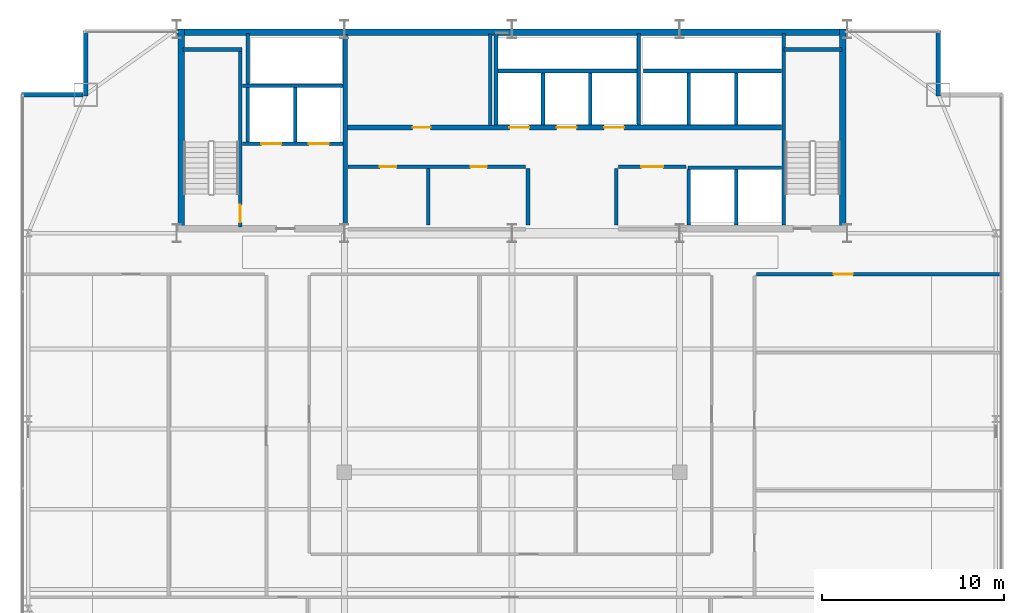
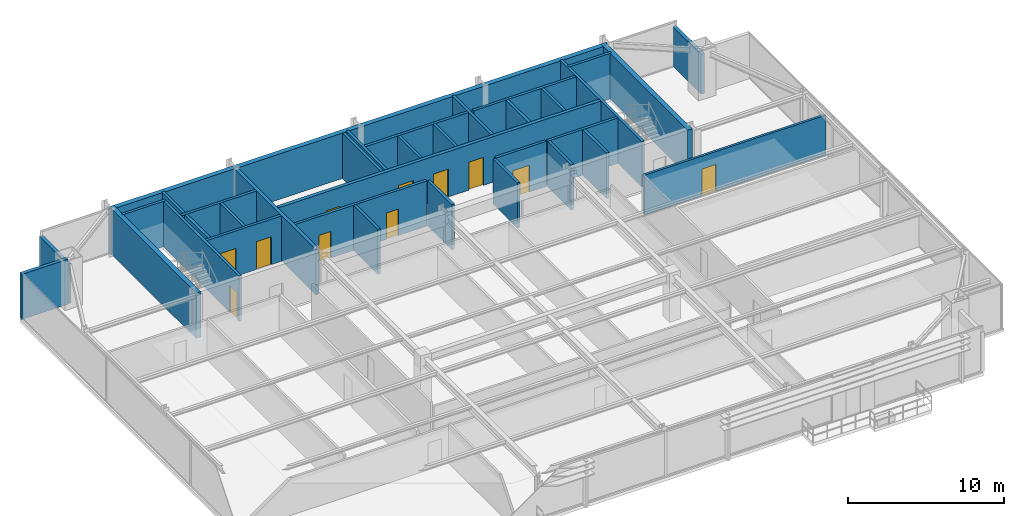
# One storey, part 28 of 31: 34 walls, 11 doors, 11 openings.
"""IFC4 building model written with IfcOpenShell, lengths in metres."""

import ifcopenshell
import ifcopenshell.guid

model = None  # the IFC model being written
_history = None  # IfcOwnerHistory: only IFC2X3 demands one
_inside = {}  # id of a spatial element -> (the spatial element, [elements in it])
_under = {}  # id of a project, library or spatial element -> (it, [spatial elements below it])
_declared = {}  # id of a project -> (the project, [libraries it declares])
_typed = {}  # id of a type object -> (the type object, [elements of that type])
_made_of = {}  # id of a material, layer set ... -> (it, [elements and type objects made of it])


def new_model(schema):
    """Start an empty IFC model of exactly this schema.

    Asked for "IFC4X3", IfcOpenShell would pick the latest addendum, in which some entities
    have other attributes; the version numbers below select the first issue.
    IFC2X3 requires an IfcOwnerHistory on every rooted entity: one is made here for all.
    """
    global model, _history
    if schema == "IFC4X3":
        model = ifcopenshell.file(schema_version=(4, 3, 0, 0))
    else:
        model = ifcopenshell.file(schema=schema)
    _inside.clear()
    _under.clear()
    _declared.clear()
    _typed.clear()
    _made_of.clear()
    _history = None
    if model.schema == "IFC2X3":
        org = make("IfcOrganization", Name="unknown")
        user = make(
            "IfcPersonAndOrganization",
            ThePerson=make("IfcPerson", FamilyName="unknown"),
            TheOrganization=org,
        )
        app = make(
            "IfcApplication",
            ApplicationDeveloper=org,
            Version="unknown",
            ApplicationFullName="unknown",
            ApplicationIdentifier="unknown",
        )
        _history = make(
            "IfcOwnerHistory",
            OwningUser=user,
            OwningApplication=app,
            ChangeAction="ADDED",
            CreationDate=0,
        )
    return model


def make(cls, **values):
    """One entity of the class cls with the attributes given. An attribute that is None is left unset."""
    return model.create_entity(
        cls, **{name: value for name, value in values.items() if value is not None}
    )


def rooted(cls, **values):
    """An entity with a GlobalId (a new one), such as an element, a storey or a relation."""
    return make(cls, GlobalId=ifcopenshell.guid.new(), OwnerHistory=_history, **values)


def si_unit(unit_type, name, prefix=None):
    """IfcSIUnit, for example si_unit("LENGTHUNIT", "METRE", prefix="MILLI")."""
    return make("IfcSIUnit", UnitType=unit_type, Prefix=prefix, Name=name)


def assignment(units):
    """IfcUnitAssignment: the units of a project."""
    return None if units is None else make("IfcUnitAssignment", Units=units)


def point(xyz):
    """IfcCartesianPoint."""
    return None if xyz is None else make("IfcCartesianPoint", Coordinates=xyz)


def direction(xyz):
    """IfcDirection."""
    return None if xyz is None else make("IfcDirection", DirectionRatios=xyz)


def frame(location, z_axis=None, x_axis=None):
    """IfcAxis2Placement3D, a coordinate frame: its origin and axes. An axis left out is left unset."""
    return make(
        "IfcAxis2Placement3D",
        Location=point(location),
        Axis=direction(z_axis),
        RefDirection=direction(x_axis),
    )


def frame_2d(location, x_axis=None):
    """IfcAxis2Placement2D, a coordinate frame in the plane: its origin and x axis."""
    return make(
        "IfcAxis2Placement2D", Location=point(location), RefDirection=direction(x_axis)
    )


def origin():
    """The frame at (0, 0, 0) with its axes left unset."""
    return frame((0.0, 0.0, 0.0))


def place(relative_to, where):
    """IfcLocalPlacement: puts the frame where relative to a parent placement (None: the world)."""
    return make(
        "IfcLocalPlacement", PlacementRelTo=relative_to, RelativePlacement=where
    )


def context(
    kind, dimensions, precision=None, world=None, true_north=None, identifier=None
):
    """IfcGeometricRepresentationContext, for example the 3D "Model" context."""
    return make(
        "IfcGeometricRepresentationContext",
        ContextIdentifier=identifier,
        ContextType=kind,
        CoordinateSpaceDimension=dimensions,
        Precision=precision,
        WorldCoordinateSystem=world,
        TrueNorth=true_north,
    )


def subcontext(parent, identifier, kind, view, scale=None):
    """IfcGeometricRepresentationSubContext, for example "Body" below "Model"."""
    return make(
        "IfcGeometricRepresentationSubContext",
        ContextIdentifier=identifier,
        ContextType=kind,
        ParentContext=parent,
        TargetScale=scale,
        TargetView=view,
    )


def project(units=None, contexts=None):
    """IfcProject with its units and contexts."""
    return rooted(
        "IfcProject",
        Name="project",
        RepresentationContexts=contexts,
        UnitsInContext=assignment(units),
    )


def spatial(cls, under=None, at=None, **own):
    """A site, building, storey or space (cls), placed at a placement, below another one or the project."""
    s = rooted(cls, ObjectPlacement=at, **own)
    if under is not None:
        _under.setdefault(under.id(), (under, []))[1].append(s)
    return s


def profile(cls, at=None, kind="AREA", **sizes):
    """A parametric profile (cls). Its sizes go by their IFC names, for example OverallWidth=200.0."""
    return make(cls, ProfileType=kind, Position=at, **sizes)


def rectangle(**sizes):
    """IfcRectangleProfileDef."""
    return profile("IfcRectangleProfileDef", **sizes)


def extrude(swept, where, along, depth):
    """IfcExtrudedAreaSolid: the profile swept, set in the frame where, extruded along a direction by depth."""
    return make(
        "IfcExtrudedAreaSolid",
        SweptArea=swept,
        Position=where,
        ExtrudedDirection=direction(along),
        Depth=depth,
    )


def shape(context_of_items, identifier, shape_type, items):
    """IfcShapeRepresentation: the items that make up one representation, for example the "Body"."""
    return make(
        "IfcShapeRepresentation",
        ContextOfItems=context_of_items,
        RepresentationIdentifier=identifier,
        RepresentationType=shape_type,
        Items=items,
    )


def source(mapping_origin, context_of_items, identifier, shape_type, items):
    """IfcRepresentationMap: a shape defined once, which mapped items show again and again."""
    return make(
        "IfcRepresentationMap",
        MappingOrigin=mapping_origin,
        MappedRepresentation=shape(context_of_items, identifier, shape_type, items),
    )


def transform(
    local_origin,
    x_axis=None,
    y_axis=None,
    z_axis=None,
    scale=None,
    scale2=None,
    scale3=None,
    uniform=True,
):
    """IfcCartesianTransformationOperator3D, or its non-uniform kind. x_axis, y_axis, z_axis: its Axis1, 2, 3."""
    if uniform:
        return make(
            "IfcCartesianTransformationOperator3D",
            Axis1=direction(x_axis),
            Axis2=direction(y_axis),
            LocalOrigin=point(local_origin),
            Scale=scale,
            Axis3=direction(z_axis),
        )
    return make(
        "IfcCartesianTransformationOperator3DnonUniform",
        Axis1=direction(x_axis),
        Axis2=direction(y_axis),
        LocalOrigin=point(local_origin),
        Scale=scale,
        Axis3=direction(z_axis),
        Scale2=scale2,
        Scale3=scale3,
    )


def mapped(mapping_source, mapping_target):
    """IfcMappedItem: shows the shape of a source again, moved by a transform."""
    return make(
        "IfcMappedItem", MappingSource=mapping_source, MappingTarget=mapping_target
    )


def material(Name=None, Category=None):
    """IfcMaterial."""
    return make("IfcMaterial", Name=Name, Category=Category)


def layer(
    of_material, thickness, ventilated=None, Name=None, Category=None, Priority=None
):
    """IfcMaterialLayer: one layer of a wall or slab, of a material (None: an air gap)."""
    return make(
        "IfcMaterialLayer",
        Material=of_material,
        LayerThickness=thickness,
        IsVentilated=ventilated,
        Name=Name,
        Category=Category,
        Priority=Priority,
    )


def layer_set(layers, Name=None):
    """IfcMaterialLayerSet."""
    return make("IfcMaterialLayerSet", MaterialLayers=layers, LayerSetName=Name)


def made_of(thing, what):
    """Note that an element or type object is made of a material, layer set ...; save() writes the relation."""
    if what is not None:
        _made_of.setdefault(what.id(), (what, []))[1].append(thing)
    return thing


def type_object(cls, material=None, **own):
    """A type object (cls), such as IfcWallType, which elements share."""
    return made_of(rooted(cls, **own), material)


def type_shapes(of_type, sources):
    """Give a type object the sources (RepresentationMaps) that its elements show as mapped items."""
    of_type.RepresentationMaps = sources


def element(
    cls,
    number,
    at=None,
    inside=None,
    cuts=None,
    type_object=None,
    material=None,
    context=None,
    identifier="Body",
    shape_type=None,
    held_by="IfcProductDefinitionShape",
    body=None,
    shapes=None,
    **own,
):
    """One element of the class cls, such as IfcWall. Its Tag is "e" and its number.

    at: its placement. inside: the storey or other place that contains it. cuts: it is an
    opening in that element (IfcRelVoidsElement). A single representation is given by context,
    identifier, shape_type and body (its items); several are given by shapes. held_by: the class
    of the entity that holds the representations. save() writes the other relations.
    """
    e = rooted(cls, Tag="e%d" % number, ObjectPlacement=at, **own)
    if body is not None:
        shapes = [shape(context, identifier, shape_type, body)]
    if shapes is not None:
        e.Representation = make(held_by, Representations=shapes)
    if inside is not None:
        _inside.setdefault(inside.id(), (inside, []))[1].append(e)
    if cuts is not None:
        rooted(
            "IfcRelVoidsElement", RelatingBuildingElement=cuts, RelatedOpeningElement=e
        )
    if type_object is not None:
        _typed.setdefault(type_object.id(), (type_object, []))[1].append(e)
    return made_of(e, material)


def fill(opening, filler):
    """IfcRelFillsElement: the door or window that sits in an opening."""
    return rooted(
        "IfcRelFillsElement",
        RelatingOpeningElement=opening,
        RelatedBuildingElement=filler,
    )


def aggregate(whole, parts):
    """IfcRelAggregates: a whole, such as a stair, and the parts it consists of."""
    return rooted("IfcRelAggregates", RelatingObject=whole, RelatedObjects=parts)


def save(model, path):
    """Write the relations noted so far, then the file.

    IfcRelAggregates (storeys below a building ...), IfcRelContainedInSpatialStructure (elements
    in a storey), IfcRelDefinesByType, IfcRelAssociatesMaterial and IfcRelDeclares: one each for
    every whole, place, type object, material and project.
    """
    for whole, parts in _under.values():
        aggregate(whole, parts)
    for where, things in _inside.values():
        rooted(
            "IfcRelContainedInSpatialStructure",
            RelatedElements=things,
            RelatingStructure=where,
        )
    for kind, things in _typed.values():
        rooted("IfcRelDefinesByType", RelatedObjects=things, RelatingType=kind)
    for what, things in _made_of.values():
        rooted("IfcRelAssociatesMaterial", RelatedObjects=things, RelatingMaterial=what)
    for by, libraries in _declared.values():
        rooted("IfcRelDeclares", RelatingContext=by, RelatedDefinitions=libraries)
    model.write(path)


model = new_model("IFC4")

# Units and contexts
model_context = context("Model", 3, precision=1e-05, world=origin(), true_north=direction((0.0, 1.0)))
body_context = subcontext(model_context, "Body", "Model", "MODEL_VIEW")
ifc_project = project(units=[si_unit("LENGTHUNIT", "METRE"), si_unit("AREAUNIT", "SQUARE_METRE"), si_unit("VOLUMEUNIT", "CUBIC_METRE"), si_unit("PLANEANGLEUNIT", "RADIAN"), si_unit("MASSUNIT", "GRAM", prefix="KILO")], contexts=[model_context])

# Site, building, storey
site_placement = place(None, origin())
site = spatial("IfcSite", under=ifc_project, at=site_placement, CompositionType="ELEMENT")
building_placement = place(site_placement, origin())
building = spatial("IfcBuilding", under=site, at=building_placement, Name="Varnel Quay Broadcast Tower", CompositionType="ELEMENT")
storey_placement = place(building_placement, frame((0.0, 0.0, 183.800048828125)))
storey = spatial("IfcBuildingStorey", under=building, at=storey_placement, Name="L45", CompositionType="ELEMENT", Elevation=183.800048828125)

# Wall, opening, door
ifc_material_1 = material(Name="Concrete CSA A23.3 C50/60", Category="concrete")
ifc_layer_1 = layer(ifc_material_1, 0.199951171875, Name="Concrete CSA A23.3 C50/60")
ifc_layer_set_1 = layer_set([ifc_layer_1], Name="Concrete CSA A23.3 C50/60")
wall_type_1 = type_object("IfcWallType", Name="Wall_CoreShaftShear200", PredefinedType="SHEAR", material=ifc_layer_set_1)
wall_1_placement = place(storey_placement, frame((19.080078125, 35.949951171875, 0.0), z_axis=(0.0, 0.0, 1.0), x_axis=(0.0, 1.0, 0.0)))
wall_1 = element("IfcWall", 1, at=wall_1_placement, inside=storey, type_object=wall_type_1, Name="L45 Stair 1 East Structural Wall", PredefinedType="SHEAR", context=body_context, shape_type="SweptSolid", body=[
    extrude(rectangle(XDim=9.650146484375, YDim=0.199951171875, at=frame_2d((4.8251953125, 0.0))), origin(), (0.0, 0.0, 1.0), 3.550048828125),
])
opening_1_placement = place(wall_1_placement, frame((0.25, 0.0, 0.0)))
opening_1 = element("IfcOpeningElement", 2, at=opening_1_placement, cuts=wall_1, Name="Opening D-L45-S1", PredefinedType="OPENING", context=body_context, shape_type="SweptSolid", body=[
    extrude(rectangle(XDim=0.949951171875, YDim=2.10009765625, at=frame_2d((0.47509765625, 1.050048828125))), frame((0.0, 0.10986328125, 0.0), z_axis=(0.0, -1.0, 0.0), x_axis=(1.0, 0.0, 0.0)), (0.0, 0.0, 1.0), 0.219970703125),
])
ifc_material_2 = material(Name="Insulated Fire-Rated Hollow Steel Door", Category="steel")
door_type_1 = type_object("IfcDoorType", Name="Door_FireStair950", OperationType="NOTDEFINED", PredefinedType="DOOR", material=ifc_material_2)
shared_shape_1 = source(origin(), body_context, "Body", "SweptSolid", [
    extrude(rectangle(XDim=0.949951171875, YDim=2.10009765625, at=frame_2d((0.47509765625, 1.050048828125))), frame((0.0, 0.02490234375, 0.0), z_axis=(0.0, -1.0, 0.0), x_axis=(1.0, 0.0, 0.0)), (0.0, 0.0, 1.0), 0.050048828125),
])
type_shapes(door_type_1, [shared_shape_1])
door_1_placement = place(opening_1_placement, origin())
door_1 = element("IfcDoor", 3, at=door_1_placement, inside=storey, type_object=door_type_1, Name="L45 Stair 1 Fire Door", OperationType="SINGLE_SWING_LEFT", OverallHeight=2.10009765625, OverallWidth=0.949951171875, PredefinedType="DOOR", context=body_context, shape_type="MappedRepresentation", body=[
    mapped(shared_shape_1, transform((0.0, 0.0, 0.0), x_axis=(1.0, 0.0, 0.0), y_axis=(0.0, 1.0, 0.0), z_axis=(0.0, 0.0, 1.0), scale=1.0)),
])
fill(opening_1, door_1)

# Wall
wall_2_placement = place(storey_placement, frame((15.949951171875, 45.679931640625, 0.0), z_axis=(0.0, 0.0, 1.0), x_axis=(1.0, 0.0, 0.0)))
element("IfcWall", 4, at=wall_2_placement, inside=storey, type_object=wall_type_1, Name="L45 Stair 1 North Structural Wall", PredefinedType="SHEAR", context=body_context, shape_type="SweptSolid", body=[
    extrude(rectangle(XDim=3.22998046875, YDim=0.199951171875, at=frame_2d((1.614990234375, 0.0))), origin(), (0.0, 0.0, 1.0), 3.550048828125),
])

# Wall, openings, doors
wall_3_placement = place(storey_placement, frame((19.199951171875, 40.5, 0.0), z_axis=(0.0, 0.0, 1.0), x_axis=(1.0, 0.0, 0.0)))
wall_3 = element("IfcWall", 5, at=wall_3_placement, inside=storey, type_object=wall_type_1, Name="L45 Firefighter Lift Shaft Front Wall", PredefinedType="SHEAR", context=body_context, shape_type="SweptSolid", body=[
    extrude(rectangle(XDim=5.52001953125, YDim=0.199951171875, at=frame_2d((2.760009765625, 0.0))), origin(), (0.0, 0.0, 1.0), 3.550048828125),
])
opening_2_placement = place(wall_3_placement, frame((1.050048828125, 0.0, 0.0)))
opening_2 = element("IfcOpeningElement", 6, at=opening_2_placement, cuts=wall_3, Name="Opening LD-L45-FE1", PredefinedType="OPENING", context=body_context, shape_type="SweptSolid", body=[
    extrude(rectangle(XDim=1.10009765625, YDim=2.179931640625, at=frame_2d((0.550048828125, 1.08984375))), frame((0.0, 0.10986328125, 0.0), z_axis=(0.0, -1.0, 0.0), x_axis=(1.0, 0.0, 0.0)), (0.0, 0.0, 1.0), 0.219970703125),
])
opening_3_placement = place(wall_3_placement, frame((3.64990234375, 0.0, 0.0)))
opening_3 = element("IfcOpeningElement", 7, at=opening_3_placement, cuts=wall_3, Name="Opening LD-L45-FE2", PredefinedType="OPENING", context=body_context, shape_type="SweptSolid", body=[
    extrude(rectangle(XDim=1.10009765625, YDim=2.179931640625, at=frame_2d((0.550048828125, 1.08984375))), frame((0.0, 0.10986328125, 0.0), z_axis=(0.0, -1.0, 0.0), x_axis=(1.0, 0.0, 0.0)), (0.0, 0.0, 1.0), 0.219970703125),
])
ifc_material_3 = material(Name="Brushed Bronze-Stainless Lift Car & Sliding Doors", Category="steel")
door_type_2 = type_object("IfcDoorType", Name="Door_LiftLanding1100", OperationType="SLIDING_TO_LEFT", PredefinedType="DOOR", material=ifc_material_3)
shared_shape_2 = source(origin(), body_context, "Body", "SweptSolid", [
    extrude(rectangle(XDim=1.10009765625, YDim=2.179931640625, at=frame_2d((0.550048828125, 1.08984375))), frame((0.0, 0.02490234375, 0.0), z_axis=(0.0, -1.0, 0.0), x_axis=(1.0, 0.0, 0.0)), (0.0, 0.0, 1.0), 0.050048828125),
])
type_shapes(door_type_2, [shared_shape_2])
door_2_placement = place(opening_2_placement, frame((1.10009765625, 0.0, 0.0), z_axis=(0.0, 0.0, 1.0), x_axis=(-1.0, 0.0, 0.0)))
door_2 = element("IfcDoor", 8, at=door_2_placement, inside=storey, type_object=door_type_2, Name="L45 Firefighter Lift FE-01 Landing Door", OperationType="SLIDING_TO_LEFT", OverallHeight=2.179931640625, OverallWidth=1.10009765625, PredefinedType="DOOR", context=body_context, shape_type="MappedRepresentation", body=[
    mapped(shared_shape_2, transform((0.0, 0.0, 0.0), x_axis=(1.0, 0.0, 0.0), y_axis=(0.0, 1.0, 0.0), z_axis=(0.0, 0.0, 1.0), scale=1.0)),
])
fill(opening_2, door_2)
door_3_placement = place(opening_3_placement, frame((1.10009765625, 0.0, 0.0), z_axis=(0.0, 0.0, 1.0), x_axis=(-1.0, 0.0, 0.0)))
door_3 = element("IfcDoor", 9, at=door_3_placement, inside=storey, type_object=door_type_2, Name="L45 Firefighter Lift FE-02 Landing Door", OperationType="SLIDING_TO_RIGHT", OverallHeight=2.179931640625, OverallWidth=1.10009765625, PredefinedType="DOOR", context=body_context, shape_type="MappedRepresentation", body=[
    mapped(shared_shape_2, transform((0.0, 0.0, 0.0), x_axis=(1.0, 0.0, 0.0), y_axis=(0.0, 1.0, 0.0), z_axis=(0.0, 0.0, 1.0), scale=1.0)),
])
fill(opening_3, door_3)

# Walls
wall_4_placement = place(storey_placement, frame((19.199951171875, 43.699951171875, 0.0), z_axis=(0.0, 0.0, 1.0), x_axis=(1.0, 0.0, 0.0)))
element("IfcWall", 10, at=wall_4_placement, inside=storey, type_object=wall_type_1, Name="L45 Firefighter Lift Shaft Rear Wall", PredefinedType="SHEAR", context=body_context, shape_type="SweptSolid", body=[
    extrude(rectangle(XDim=5.52001953125, YDim=0.199951171875, at=frame_2d((2.760009765625, 0.0))), origin(), (0.0, 0.0, 1.0), 3.550048828125),
])
wall_5_placement = place(storey_placement, frame((22.10009765625, 40.60009765625, 0.0), z_axis=(0.0, 0.0, 1.0), x_axis=(0.0, 1.0, 0.0)))
element("IfcWall", 11, at=wall_5_placement, inside=storey, type_object=wall_type_1, Name="L45 Firefighter Lift Shaft Divider", PredefinedType="SHEAR", context=body_context, shape_type="SweptSolid", body=[
    extrude(rectangle(XDim=3.0, YDim=0.199951171875, at=frame_2d((1.5, 0.0))), origin(), (0.0, 0.0, 1.0), 3.550048828125),
])
wall_6_placement = place(storey_placement, frame((19.5, 40.60009765625, 0.0), z_axis=(0.0, 0.0, 1.0), x_axis=(0.0, 1.0, 0.0)))
element("IfcWall", 12, at=wall_6_placement, inside=storey, type_object=wall_type_1, Name="L45 Firefighter Lift Shaft West Wall", PredefinedType="SHEAR", context=body_context, shape_type="SweptSolid", body=[
    extrude(rectangle(XDim=5.949951171875, YDim=0.199951171875, at=frame_2d((2.97509765625, 0.0))), origin(), (0.0, 0.0, 1.0), 3.550048828125),
])
wall_7_placement = place(storey_placement, frame((48.919921875, 36.050048828125, 0.0), z_axis=(0.0, 0.0, 1.0), x_axis=(0.0, 1.0, 0.0)))
element("IfcWall", 13, at=wall_7_placement, inside=storey, type_object=wall_type_1, Name="L45 Stair 2 West Structural Wall", PredefinedType="SHEAR", context=body_context, shape_type="SweptSolid", body=[
    extrude(rectangle(XDim=10.5, YDim=0.199951171875, at=frame_2d((5.25, 0.0))), origin(), (0.0, 0.0, 1.0), 3.550048828125),
])
wall_8_placement = place(storey_placement, frame((48.919921875, 45.679931640625, 0.0), z_axis=(0.0, 0.0, 1.0), x_axis=(1.0, 0.0, 0.0)))
element("IfcWall", 14, at=wall_8_placement, inside=storey, type_object=wall_type_1, Name="L45 Stair 2 North Structural Wall", PredefinedType="SHEAR", context=body_context, shape_type="SweptSolid", body=[
    extrude(rectangle(XDim=3.18017578125, YDim=0.199951171875, at=frame_2d((1.590087890625, 0.0))), origin(), (0.0, 0.0, 1.0), 3.550048828125),
])
wall_9_placement = place(storey_placement, frame((33.219970703125, 44.5, 0.0), z_axis=(0.0, 0.0, 1.0), x_axis=(1.0, 0.0, 0.0)))
element("IfcWall", 15, at=wall_9_placement, inside=storey, type_object=wall_type_1, Name="L45 Mid-Rise Lift Shaft Rear Wall", PredefinedType="SHEAR", context=body_context, shape_type="SweptSolid", body=[
    extrude(rectangle(XDim=7.630126953125, YDim=0.199951171875, at=frame_2d((3.81494140625, 0.0))), origin(), (0.0, 0.0, 1.0), 3.550048828125),
])
wall_10_placement = place(storey_placement, frame((33.1201171875, 41.530029296875, 0.0), z_axis=(0.0, 0.0, 1.0), x_axis=(0.0, 1.0, 0.0)))
element("IfcWall", 16, at=wall_10_placement, inside=storey, type_object=wall_type_1, Name="L45 Mid-Rise Lift Shaft Divider 1", PredefinedType="SHEAR", context=body_context, shape_type="SweptSolid", body=[
    extrude(rectangle(XDim=5.02001953125, YDim=0.199951171875, at=frame_2d((2.510009765625, 0.0))), origin(), (0.0, 0.0, 1.0), 3.550048828125),
])
for number, where, z_axis, x_axis, name in (
    (17, (35.699951171875, 41.530029296875, 0.0), (0.0, 0.0, 1.0), (0.0, 1.0, 0.0), "L45 Mid-Rise Lift Shaft Divider 2"),
    (18, (38.300048828125, 41.530029296875, 0.0), (0.0, 0.0, 1.0), (0.0, 1.0, 0.0), "L45 Mid-Rise Lift Shaft Divider 3"),
):
    element("IfcWall", number, at=place(storey_placement, frame(where, z_axis=z_axis, x_axis=x_axis)), inside=storey, type_object=wall_type_1, Name=name, PredefinedType="SHEAR", context=body_context, shape_type="SweptSolid", body=[
        extrude(rectangle(XDim=2.869873046875, YDim=0.199951171875, at=frame_2d((1.43505859375, 0.0))), origin(), (0.0, 0.0, 1.0), 3.550048828125),
    ])
wall_11_placement = place(storey_placement, frame((40.949951171875, 41.530029296875, 0.0), z_axis=(0.0, 0.0, 1.0), x_axis=(0.0, 1.0, 0.0)))
element("IfcWall", 19, at=wall_11_placement, inside=storey, type_object=wall_type_1, Name="L45 Mid-Rise Lift Shaft Divider 4", PredefinedType="SHEAR", context=body_context, shape_type="SweptSolid", body=[
    extrude(rectangle(XDim=5.02001953125, YDim=0.199951171875, at=frame_2d((2.510009765625, 0.0))), origin(), (0.0, 0.0, 1.0), 3.550048828125),
])
wall_12_placement = place(storey_placement, frame((41.219970703125, 44.5, 0.0), z_axis=(0.0, 0.0, 1.0), x_axis=(1.0, 0.0, 0.0)))
element("IfcWall", 20, at=wall_12_placement, inside=storey, type_object=wall_type_1, Name="L45 High-Rise Lift Shaft Rear Wall", PredefinedType="SHEAR", context=body_context, shape_type="SweptSolid", body=[
    extrude(rectangle(XDim=7.580078125, YDim=0.199951171875, at=frame_2d((3.7900390625, 0.0))), origin(), (0.0, 0.0, 1.0), 3.550048828125),
])
for number, where, z_axis, x_axis, name in (
    (21, (43.699951171875, 41.530029296875, 0.0), (0.0, 0.0, 1.0), (0.0, 1.0, 0.0), "L45 High-Rise Lift Shaft Divider 2"),
    (22, (46.300048828125, 41.530029296875, 0.0), (0.0, 0.0, 1.0), (0.0, 1.0, 0.0), "L45 High-Rise Lift Shaft Divider 3"),
):
    element("IfcWall", number, at=place(storey_placement, frame(where, z_axis=z_axis, x_axis=x_axis)), inside=storey, type_object=wall_type_1, Name=name, PredefinedType="SHEAR", context=body_context, shape_type="SweptSolid", body=[
        extrude(rectangle(XDim=2.869873046875, YDim=0.199951171875, at=frame_2d((1.43505859375, 0.0))), origin(), (0.0, 0.0, 1.0), 3.550048828125),
    ])
for number, where, z_axis, x_axis, name in (
    (23, (43.699951171875, 36.050048828125, 0.0), (0.0, 0.0, 1.0), (0.0, 1.0, 0.0), "L45 Express Lift Shaft West Wall"),
    (24, (46.300048828125, 36.050048828125, 0.0), (0.0, 0.0, 1.0), (0.0, 1.0, 0.0), "L45 Express Lift Shaft Divider"),
):
    element("IfcWall", number, at=place(storey_placement, frame(where, z_axis=z_axis, x_axis=x_axis)), inside=storey, type_object=wall_type_1, Name=name, PredefinedType="SHEAR", context=body_context, shape_type="SweptSolid", body=[
        extrude(rectangle(XDim=3.050048828125, YDim=0.199951171875, at=frame_2d((1.52490234375, 0.0))), origin(), (0.0, 0.0, 1.0), 3.550048828125),
    ])
wall_13_placement = place(storey_placement, frame((43.64990234375, 39.199951171875, 0.0), z_axis=(0.0, 0.0, 1.0), x_axis=(1.0, 0.0, 0.0)))
element("IfcWall", 25, at=wall_13_placement, inside=storey, type_object=wall_type_1, Name="L45 Express Lift Shaft North Front Wall", PredefinedType="SHEAR", context=body_context, shape_type="SweptSolid", body=[
    extrude(rectangle(XDim=5.150146484375, YDim=0.199951171875, at=frame_2d((2.5751953125, 0.0))), origin(), (0.0, 0.0, 1.0), 3.550048828125),
])
ifc_layer_2 = layer(ifc_material_1, 0.25, Name="Concrete CSA A23.3 C50/60")
ifc_layer_set_2 = layer_set([ifc_layer_2], Name="Concrete CSA A23.3 C50/60")
wall_type_2 = type_object("IfcWallType", Name="Wall_CoreShaftShear250", PredefinedType="SHEAR", material=ifc_layer_set_2)
wall_14_placement = place(storey_placement, frame((24.85009765625, 36.050048828125, 0.0), z_axis=(0.0, 0.0, 1.0), x_axis=(0.0, 1.0, 0.0)))
element("IfcWall", 26, at=wall_14_placement, inside=storey, type_object=wall_type_2, Name="L45 Firefighting Lobby East Structural Wall", PredefinedType="SHEAR", context=body_context, shape_type="SweptSolid", body=[
    extrude(rectangle(XDim=10.449951171875, YDim=0.25, at=frame_2d((5.22509765625, 0.0))), origin(), (0.0, 0.0, 1.0), 3.550048828125),
])

# Wall, openings, doors
wall_15_placement = place(storey_placement, frame((24.97998046875, 41.39990234375, 0.0), z_axis=(0.0, 0.0, 1.0), x_axis=(1.0, 0.0, 0.0)))
wall_15 = element("IfcWall", 27, at=wall_15_placement, inside=storey, type_object=wall_type_2, Name="L45 North Lift Bank & Reclaimed Suite Wall", PredefinedType="SHEAR", context=body_context, shape_type="SweptSolid", body=[
    extrude(rectangle(XDim=23.820068359375, YDim=0.25, at=frame_2d((11.91015625, 0.0))), origin(), (0.0, 0.0, 1.0), 3.550048828125),
])
opening_4_placement = place(wall_15_placement, frame((8.8701171875, 0.0, 0.0)))
opening_4 = element("IfcOpeningElement", 28, at=opening_4_placement, cuts=wall_15, Name="Opening LD-L45-PM-01", PredefinedType="OPENING", context=body_context, shape_type="SweptSolid", body=[
    extrude(rectangle(XDim=1.10009765625, YDim=2.179931640625, at=frame_2d((0.550048828125, 1.08984375))), frame((0.0, 0.135009765625, 0.0), z_axis=(0.0, -1.0, 0.0), x_axis=(1.0, 0.0, 0.0)), (0.0, 0.0, 1.0), 0.27001953125),
])
opening_5_placement = place(wall_15_placement, frame((11.469970703125, 0.0, 0.0)))
opening_5 = element("IfcOpeningElement", 29, at=opening_5_placement, cuts=wall_15, Name="Opening LD-L45-PM-02", PredefinedType="OPENING", context=body_context, shape_type="SweptSolid", body=[
    extrude(rectangle(XDim=1.10009765625, YDim=2.179931640625, at=frame_2d((0.550048828125, 1.08984375))), frame((0.0, 0.135009765625, 0.0), z_axis=(0.0, -1.0, 0.0), x_axis=(1.0, 0.0, 0.0)), (0.0, 0.0, 1.0), 0.27001953125),
])
opening_6_placement = place(wall_15_placement, frame((14.070068359375, 0.0, 0.0)))
opening_6 = element("IfcOpeningElement", 30, at=opening_6_placement, cuts=wall_15, Name="Opening LD-L45-PM-03", PredefinedType="OPENING", context=body_context, shape_type="SweptSolid", body=[
    extrude(rectangle(XDim=1.10009765625, YDim=2.179931640625, at=frame_2d((0.550048828125, 1.08984375))), frame((0.0, 0.135009765625, 0.0), z_axis=(0.0, -1.0, 0.0), x_axis=(1.0, 0.0, 0.0)), (0.0, 0.0, 1.0), 0.27001953125),
])
opening_7_placement = place(wall_15_placement, frame((3.56005859375, 0.0, 0.0)))
opening_7 = element("IfcOpeningElement", 31, at=opening_7_placement, cuts=wall_15, Name="Opening D-L45-RECA1", PredefinedType="OPENING", context=body_context, shape_type="SweptSolid", body=[
    extrude(rectangle(XDim=1.0, YDim=2.080078125, at=frame_2d((0.5, 1.0400390625))), frame((0.0, 0.135009765625, 0.0), z_axis=(0.0, -1.0, 0.0), x_axis=(1.0, 0.0, 0.0)), (0.0, 0.0, 1.0), 0.27001953125),
])
door_4_placement = place(opening_4_placement, frame((1.10009765625, 0.0, 0.0), z_axis=(0.0, 0.0, 1.0), x_axis=(-1.0, 0.0, 0.0)))
door_4 = element("IfcDoor", 32, at=door_4_placement, inside=storey, type_object=door_type_2, Name="L45 Lift PM-01 Landing Door", OperationType="SLIDING_TO_LEFT", OverallHeight=2.179931640625, OverallWidth=1.10009765625, PredefinedType="DOOR", context=body_context, shape_type="MappedRepresentation", body=[
    mapped(shared_shape_2, transform((0.0, 0.0, 0.0), x_axis=(1.0, 0.0, 0.0), y_axis=(0.0, 1.0, 0.0), z_axis=(0.0, 0.0, 1.0), scale=1.0)),
])
fill(opening_4, door_4)
door_5_placement = place(opening_5_placement, frame((1.10009765625, 0.0, 0.0), z_axis=(0.0, 0.0, 1.0), x_axis=(-1.0, 0.0, 0.0)))
door_5 = element("IfcDoor", 33, at=door_5_placement, inside=storey, type_object=door_type_2, Name="L45 Lift PM-02 Landing Door", OperationType="SLIDING_TO_LEFT", OverallHeight=2.179931640625, OverallWidth=1.10009765625, PredefinedType="DOOR", context=body_context, shape_type="MappedRepresentation", body=[
    mapped(shared_shape_2, transform((0.0, 0.0, 0.0), x_axis=(1.0, 0.0, 0.0), y_axis=(0.0, 1.0, 0.0), z_axis=(0.0, 0.0, 1.0), scale=1.0)),
])
fill(opening_5, door_5)
door_6_placement = place(opening_6_placement, frame((1.10009765625, 0.0, 0.0), z_axis=(0.0, 0.0, 1.0), x_axis=(-1.0, 0.0, 0.0)))
door_6 = element("IfcDoor", 34, at=door_6_placement, inside=storey, type_object=door_type_2, Name="L45 Lift PM-03 Landing Door", OperationType="SLIDING_TO_LEFT", OverallHeight=2.179931640625, OverallWidth=1.10009765625, PredefinedType="DOOR", context=body_context, shape_type="MappedRepresentation", body=[
    mapped(shared_shape_2, transform((0.0, 0.0, 0.0), x_axis=(1.0, 0.0, 0.0), y_axis=(0.0, 1.0, 0.0), z_axis=(0.0, 0.0, 1.0), scale=1.0)),
])
fill(opening_6, door_6)
door_type_3 = type_object("IfcDoorType", Name="Door_FireLobby1000", OperationType="NOTDEFINED", PredefinedType="DOOR", material=ifc_material_2)
shared_shape_3 = source(origin(), body_context, "Body", "SweptSolid", [
    extrude(rectangle(XDim=1.0, YDim=2.080078125, at=frame_2d((0.5, 1.0400390625))), frame((0.0, 0.02490234375, 0.0), z_axis=(0.0, -1.0, 0.0), x_axis=(1.0, 0.0, 0.0)), (0.0, 0.0, 1.0), 0.050048828125),
])
type_shapes(door_type_3, [shared_shape_3])
door_7_placement = place(opening_7_placement, origin())
door_7 = element("IfcDoor", 35, at=door_7_placement, inside=storey, type_object=door_type_3, Name="L45 Broadcast Ingest Server Hall Door", OperationType="SINGLE_SWING_RIGHT", OverallHeight=2.080078125, OverallWidth=1.0, PredefinedType="DOOR", context=body_context, shape_type="MappedRepresentation", body=[
    mapped(shared_shape_3, transform((0.0, 0.0, 0.0), x_axis=(1.0, 0.0, 0.0), y_axis=(0.0, 1.0, 0.0), z_axis=(0.0, 0.0, 1.0), scale=1.0)),
])
fill(opening_7, door_7)

# Walls
ifc_layer_3 = layer(ifc_material_1, 0.35009765625, Name="Concrete CSA A23.3 C50/60")
ifc_layer_set_3 = layer_set([ifc_layer_3], Name="Concrete CSA A23.3 C50/60")
wall_type_3 = type_object("IfcWallType", Name="Wall_CoreShearExt350", PredefinedType="SHEAR", material=ifc_layer_set_3)
wall_16_placement = place(storey_placement, frame((15.60009765625, 46.625, 0.0), z_axis=(0.0, 0.0, 1.0), x_axis=(1.0, 0.0, 0.0)))
element("IfcWall", 36, at=wall_16_placement, inside=storey, type_object=wall_type_3, Name="L45 North Core Shear Wall", PredefinedType="SHEAR", context=body_context, shape_type="SweptSolid", body=[
    extrude(rectangle(XDim=36.7998046875, YDim=0.35009765625, at=frame_2d((18.39990234375, 0.0))), origin(), (0.0, 0.0, 1.0), 3.550048828125),
])
ifc_layer_4 = layer(ifc_material_1, 0.35009765625, Name="Concrete CSA A23.3 C50/60")
ifc_layer_set_4 = layer_set([ifc_layer_4], Name="Concrete CSA A23.3 C50/60")
wall_type_4 = type_object("IfcWallType", Name="Wall_CoreShearInt350", PredefinedType="SHEAR", material=ifc_layer_set_4)
for number, where, z_axis, x_axis, name in (
    (37, (15.844970703125, 35.669921875, 0.0), (0.0, 0.0, 1.0), (0.0, 1.0, 0.0), "L45 West Core Shear Wall"),
    (38, (52.155029296875, 35.669921875, 0.0), (0.0, 0.0, 1.0), (0.0, 1.0, 0.0), "L45 East Core Shear Wall"),
):
    element("IfcWall", number, at=place(storey_placement, frame(where, z_axis=z_axis, x_axis=x_axis)), inside=storey, type_object=wall_type_4, Name=name, PredefinedType="SHEAR", context=body_context, shape_type="SweptSolid", body=[
        extrude(rectangle(XDim=11.130126953125, YDim=0.35009765625, at=frame_2d((5.56494140625, 0.0))), origin(), (0.0, 0.0, 1.0), 3.550048828125),
    ])
ifc_material_4 = material(Name="Precast Architectural Concrete C40/50", Category="concrete")
ifc_layer_5 = layer(ifc_material_4, 0.25, Name="Precast Architectural Concrete C40/50")
ifc_layer_set_5 = layer_set([ifc_layer_5], Name="Precast Architectural Concrete C40/50")
wall_type_5 = type_object("IfcWallType", Name="Wall_ExtTerrace250", PredefinedType="SOLIDWALL", material=ifc_layer_set_5)
wall_17_placement = place(storey_placement, frame((7.080078125, 43.199951171875, 0.0), z_axis=(0.0, 0.0, 1.0), x_axis=(1.0, 0.0, 0.0)))
element("IfcWall", 39, at=wall_17_placement, inside=storey, type_object=wall_type_5, Name="L45 Mega-Column Notch Cladding Wall NNW1", PredefinedType="SOLIDWALL", context=body_context, shape_type="SweptSolid", body=[
    extrude(rectangle(XDim=3.389892578125, YDim=0.25, at=frame_2d((1.69482421875, 0.0))), origin(), (0.0, 0.0, 1.0), 3.530029296875),
])
for number, where, z_axis, x_axis, name in (
    (40, (10.60009765625, 43.1201171875, 0.0), (0.0, 0.0, 1.0), (0.0, 1.0, 0.0), "L45 Mega-Column Notch Cladding Wall NNW2"),
    (41, (57.39990234375, 43.1201171875, 0.0), (0.0, 0.0, 1.0), (0.0, 1.0, 0.0), "L45 Mega-Column Notch Cladding Wall NNE2"),
):
    element("IfcWall", number, at=place(storey_placement, frame(where, z_axis=z_axis, x_axis=x_axis)), inside=storey, type_object=wall_type_5, Name=name, PredefinedType="SOLIDWALL", context=body_context, shape_type="SweptSolid", body=[
        extrude(rectangle(XDim=3.599853515625, YDim=0.25, at=frame_2d((1.7998046875, 0.0))), origin(), (0.0, 0.0, 1.0), 3.10791015625),
    ])

# Wall, opening, door
ifc_material_5 = material(Name="Concrete Blockwork Fire Enclosure C40/50", Category="masonry")
ifc_layer_6 = layer(ifc_material_5, 0.199951171875, Name="Concrete Blockwork Fire Enclosure C40/50")
ifc_layer_set_6 = layer_set([ifc_layer_6], Name="Concrete Blockwork Fire Enclosure C40/50")
wall_type_6 = type_object("IfcWallType", Name="Wall_FireShaft200", PredefinedType="SOLIDWALL", material=ifc_layer_set_6)
wall_18_placement = place(storey_placement, frame((39.85009765625, 39.25, 0.0), z_axis=(0.0, 0.0, 1.0), x_axis=(1.0, 0.0, 0.0)))
wall_18 = element("IfcWall", 42, at=wall_18_placement, inside=storey, type_object=wall_type_6, Name="L45 Electrical Sub-Distribution Closet Partition 6", PredefinedType="SOLIDWALL", context=body_context, shape_type="SweptSolid", body=[
    extrude(rectangle(XDim=3.699951171875, YDim=0.199951171875, at=frame_2d((1.85009765625, 0.0))), origin(), (0.0, 0.0, 1.0), 3.530029296875),
])
opening_8_placement = place(wall_18_placement, frame((1.25, 0.0, 0.0)))
opening_8 = element("IfcOpeningElement", 43, at=opening_8_placement, cuts=wall_18, Name="Opening D-L45-03", PredefinedType="OPENING", context=body_context, shape_type="SweptSolid", body=[
    extrude(rectangle(XDim=1.199951171875, YDim=2.10009765625, at=frame_2d((0.60009765625, 1.050048828125))), frame((0.0, 0.10986328125, 0.0), z_axis=(0.0, -1.0, 0.0), x_axis=(1.0, 0.0, 0.0)), (0.0, 0.0, 1.0), 0.219970703125),
])
door_type_4 = type_object("IfcDoorType", Name="Door_Plant1200", OperationType="NOTDEFINED", PredefinedType="DOOR", material=ifc_material_2)
shared_shape_4 = source(origin(), body_context, "Body", "SweptSolid", [
    extrude(rectangle(XDim=1.199951171875, YDim=2.10009765625, at=frame_2d((0.60009765625, 1.050048828125))), frame((0.0, 0.02490234375, 0.0), z_axis=(0.0, -1.0, 0.0), x_axis=(1.0, 0.0, 0.0)), (0.0, 0.0, 1.0), 0.050048828125),
])
type_shapes(door_type_4, [shared_shape_4])
door_8_placement = place(opening_8_placement, origin())
door_8 = element("IfcDoor", 44, at=door_8_placement, inside=storey, type_object=door_type_4, Name="L45 Electrical Sub-Distribution Closet Door D-L45-03", OperationType="SINGLE_SWING_LEFT", OverallHeight=2.10009765625, OverallWidth=1.199951171875, PredefinedType="DOOR", context=body_context, shape_type="MappedRepresentation", body=[
    mapped(shared_shape_4, transform((0.0, 0.0, 0.0), x_axis=(1.0, 0.0, 0.0), y_axis=(0.0, 1.0, 0.0), z_axis=(0.0, 0.0, 1.0), scale=1.0)),
])
fill(opening_8, door_8)

# Walls
wall_19_placement = place(storey_placement, frame((39.72509765625, 36.050048828125, 0.0), z_axis=(0.0, 0.0, 1.0), x_axis=(0.0, 1.0, 0.0)))
element("IfcWall", 45, at=wall_19_placement, inside=storey, type_object=wall_type_6, Name="L45 Electrical Sub-Distribution Closet Partition 7", PredefinedType="SOLIDWALL", context=body_context, shape_type="SweptSolid", body=[
    extrude(rectangle(XDim=3.099853515625, YDim=0.199951171875, at=frame_2d((1.5498046875, 0.0))), origin(), (0.0, 0.0, 1.0), 3.530029296875),
])
wall_20_placement = place(storey_placement, frame((32.800048828125, 41.5, 0.0), z_axis=(0.0, 0.0, 1.0), x_axis=(0.0, 1.0, 0.0)))
element("IfcWall", 46, at=wall_20_placement, inside=storey, type_object=wall_type_6, Name="L45 Broadcast Ingest Server Hall Partition 24", PredefinedType="SOLIDWALL", context=body_context, shape_type="SweptSolid", body=[
    extrude(rectangle(XDim=5.02001953125, YDim=0.199951171875, at=frame_2d((2.510009765625, 0.0))), origin(), (0.0, 0.0, 1.0), 3.530029296875),
])

# Wall, opening, door
ifc_material_6 = material(Name="Steel-Stud Fire-Rated Acoustic Gypsum Partition Assembly", Category="steel")
ifc_layer_7 = layer(ifc_material_6, 0.175048828125, Name="Steel-Stud Fire-Rated Acoustic Gypsum Partition Assembly")
ifc_layer_set_7 = layer_set([ifc_layer_7], Name="Steel-Stud Fire-Rated Acoustic Gypsum Partition Assembly")
wall_type_7 = type_object("IfcWallType", Name="Wall_Partition175", PredefinedType="PARTITIONING", material=ifc_layer_set_7)
wall_21_placement = place(storey_placement, frame((47.409912109375, 33.35009765625, 0.0), z_axis=(0.0, 0.0, 1.0), x_axis=(1.0, 0.0, 0.0)))
wall_21 = element("IfcWall", 47, at=wall_21_placement, inside=storey, type_object=wall_type_7, Name="L45 Editorial Boardroom 11 Partition 23", PredefinedType="PARTITIONING", context=body_context, shape_type="SweptSolid", body=[
    extrude(rectangle(XDim=13.41015625, YDim=0.175048828125, at=frame_2d((6.705078125, 0.0))), origin(), (0.0, 0.0, 1.0), 3.10791015625),
])
opening_9_placement = place(wall_21_placement, frame((4.2451171875, 0.0, 0.0)))
opening_9 = element("IfcOpeningElement", 48, at=opening_9_placement, cuts=wall_21, Name="Opening D-L45-14", PredefinedType="OPENING", context=body_context, shape_type="SweptSolid", body=[
    extrude(rectangle(XDim=1.050048828125, YDim=2.10009765625, at=frame_2d((0.52490234375, 1.050048828125))), frame((0.0, 0.09765625, 0.0), z_axis=(0.0, -1.0, 0.0), x_axis=(1.0, 0.0, 0.0)), (0.0, 0.0, 1.0), 0.195068359375),
])
ifc_material_7 = material(Name="Solid-Core Fire-Rated Acoustic Oak Veneer Door", Category="wood")
door_type_5 = type_object("IfcDoorType", Name="Door_Meeting1050", OperationType="NOTDEFINED", PredefinedType="DOOR", material=ifc_material_7)
shared_shape_5 = source(origin(), body_context, "Body", "SweptSolid", [
    extrude(rectangle(XDim=1.050048828125, YDim=2.10009765625, at=frame_2d((0.52490234375, 1.050048828125))), frame((0.0, 0.02490234375, 0.0), z_axis=(0.0, -1.0, 0.0), x_axis=(1.0, 0.0, 0.0)), (0.0, 0.0, 1.0), 0.050048828125),
])
type_shapes(door_type_5, [shared_shape_5])
door_9_placement = place(opening_9_placement, frame((1.050048828125, 0.0, 0.0), z_axis=(0.0, 0.0, 1.0), x_axis=(-1.0, 0.0, 0.0)))
door_9 = element("IfcDoor", 49, at=door_9_placement, inside=storey, type_object=door_type_5, Name="L45 Editorial Boardroom 11 Door D-L45-14", OperationType="SINGLE_SWING_RIGHT", OverallHeight=2.10009765625, OverallWidth=1.050048828125, PredefinedType="DOOR", context=body_context, shape_type="MappedRepresentation", body=[
    mapped(shared_shape_5, transform((0.0, 0.0, 0.0), x_axis=(1.0, 0.0, 0.0), y_axis=(0.0, 1.0, 0.0), z_axis=(0.0, 0.0, 1.0), scale=1.0)),
])
fill(opening_9, door_9)

# Wall
ifc_material_8 = material(Name="Fire-Rated Moisture-Resistant Plumbing Chase Partition")
ifc_layer_8 = layer(ifc_material_8, 0.199951171875, Name="Fire-Rated Moisture-Resistant Plumbing Chase Partition")
ifc_layer_set_8 = layer_set([ifc_layer_8], Name="Fire-Rated Moisture-Resistant Plumbing Chase Partition")
wall_type_8 = type_object("IfcWallType", Name="Wall_Plumbing200", PredefinedType="PLUMBINGWALL", material=ifc_layer_set_8)
wall_22_placement = place(storey_placement, frame((29.39990234375, 36.050048828125, 0.0), z_axis=(0.0, 0.0, 1.0), x_axis=(0.0, 1.0, 0.0)))
element("IfcWall", 50, at=wall_22_placement, inside=storey, type_object=wall_type_8, Name="L45 Accessible Washroom Partition 2", PredefinedType="PLUMBINGWALL", context=body_context, shape_type="SweptSolid", body=[
    extrude(rectangle(XDim=3.099853515625, YDim=0.199951171875, at=frame_2d((1.5498046875, 0.0))), origin(), (0.0, 0.0, 1.0), 3.530029296875),
])

# Wall, openings, doors
wall_23_placement = place(storey_placement, frame((25.0, 39.25, 0.0), z_axis=(0.0, 0.0, 1.0), x_axis=(1.0, 0.0, 0.0)))
wall_23 = element("IfcWall", 51, at=wall_23_placement, inside=storey, type_object=wall_type_8, Name="L45 Accessible Washroom Partition 3", PredefinedType="PLUMBINGWALL", context=body_context, shape_type="SweptSolid", body=[
    extrude(rectangle(XDim=9.75, YDim=0.199951171875, at=frame_2d((4.875, 0.0))), origin(), (0.0, 0.0, 1.0), 3.530029296875),
])
opening_10_placement = place(wall_23_placement, frame((1.75, 0.0, 0.0)))
opening_10 = element("IfcOpeningElement", 52, at=opening_10_placement, cuts=wall_23, Name="Opening D-L45-01", PredefinedType="OPENING", context=body_context, shape_type="SweptSolid", body=[
    extrude(rectangle(XDim=0.89990234375, YDim=2.06005859375, at=frame_2d((0.449951171875, 1.030029296875))), frame((0.0, 0.10986328125, 0.0), z_axis=(0.0, -1.0, 0.0), x_axis=(1.0, 0.0, 0.0)), (0.0, 0.0, 1.0), 0.219970703125),
])
opening_11_placement = place(wall_23_placement, frame((6.72509765625, 0.0, 0.0)))
opening_11 = element("IfcOpeningElement", 53, at=opening_11_placement, cuts=wall_23, Name="Opening D-L45-02", PredefinedType="OPENING", context=body_context, shape_type="SweptSolid", body=[
    extrude(rectangle(XDim=0.89990234375, YDim=2.06005859375, at=frame_2d((0.449951171875, 1.030029296875))), frame((0.0, 0.10986328125, 0.0), z_axis=(0.0, -1.0, 0.0), x_axis=(1.0, 0.0, 0.0)), (0.0, 0.0, 1.0), 0.219970703125),
])
door_type_6 = type_object("IfcDoorType", Name="Door_Washroom900", OperationType="NOTDEFINED", PredefinedType="DOOR", material=ifc_material_7)
shared_shape_6 = source(origin(), body_context, "Body", "SweptSolid", [
    extrude(rectangle(XDim=0.89990234375, YDim=2.06005859375, at=frame_2d((0.449951171875, 1.030029296875))), frame((0.0, 0.02490234375, 0.0), z_axis=(0.0, -1.0, 0.0), x_axis=(1.0, 0.0, 0.0)), (0.0, 0.0, 1.0), 0.050048828125),
])
type_shapes(door_type_6, [shared_shape_6])
door_10_placement = place(opening_10_placement, frame((0.89990234375, 0.0, 0.0), z_axis=(0.0, 0.0, 1.0), x_axis=(-1.0, 0.0, 0.0)))
door_10 = element("IfcDoor", 54, at=door_10_placement, inside=storey, type_object=door_type_6, Name="L45 Accessible Washroom Door D-L45-01", OperationType="SINGLE_SWING_LEFT", OverallHeight=2.06005859375, OverallWidth=0.89990234375, PredefinedType="DOOR", context=body_context, shape_type="MappedRepresentation", body=[
    mapped(shared_shape_6, transform((0.0, 0.0, 0.0), x_axis=(1.0, 0.0, 0.0), y_axis=(0.0, 1.0, 0.0), z_axis=(0.0, 0.0, 1.0), scale=1.0)),
])
fill(opening_10, door_10)
door_11_placement = place(opening_11_placement, frame((0.89990234375, 0.0, 0.0), z_axis=(0.0, 0.0, 1.0), x_axis=(-1.0, 0.0, 0.0)))
door_11 = element("IfcDoor", 55, at=door_11_placement, inside=storey, type_object=door_type_6, Name="L45 Staff Washrooms Door D-L45-02", OperationType="SINGLE_SWING_RIGHT", OverallHeight=2.06005859375, OverallWidth=0.89990234375, PredefinedType="DOOR", context=body_context, shape_type="MappedRepresentation", body=[
    mapped(shared_shape_6, transform((0.0, 0.0, 0.0), x_axis=(1.0, 0.0, 0.0), y_axis=(0.0, 1.0, 0.0), z_axis=(0.0, 0.0, 1.0), scale=1.0)),
])
fill(opening_11, door_11)

# Wall
wall_24_placement = place(storey_placement, frame((34.875, 36.050048828125, 0.0), z_axis=(0.0, 0.0, 1.0), x_axis=(0.0, 1.0, 0.0)))
element("IfcWall", 56, at=wall_24_placement, inside=storey, type_object=wall_type_8, Name="L45 Staff Washrooms Partition 4", PredefinedType="PLUMBINGWALL", context=body_context, shape_type="SweptSolid", body=[
    extrude(rectangle(XDim=3.099853515625, YDim=0.199951171875, at=frame_2d((1.5498046875, 0.0))), origin(), (0.0, 0.0, 1.0), 3.530029296875),
])

save(model, "model.ifc")
